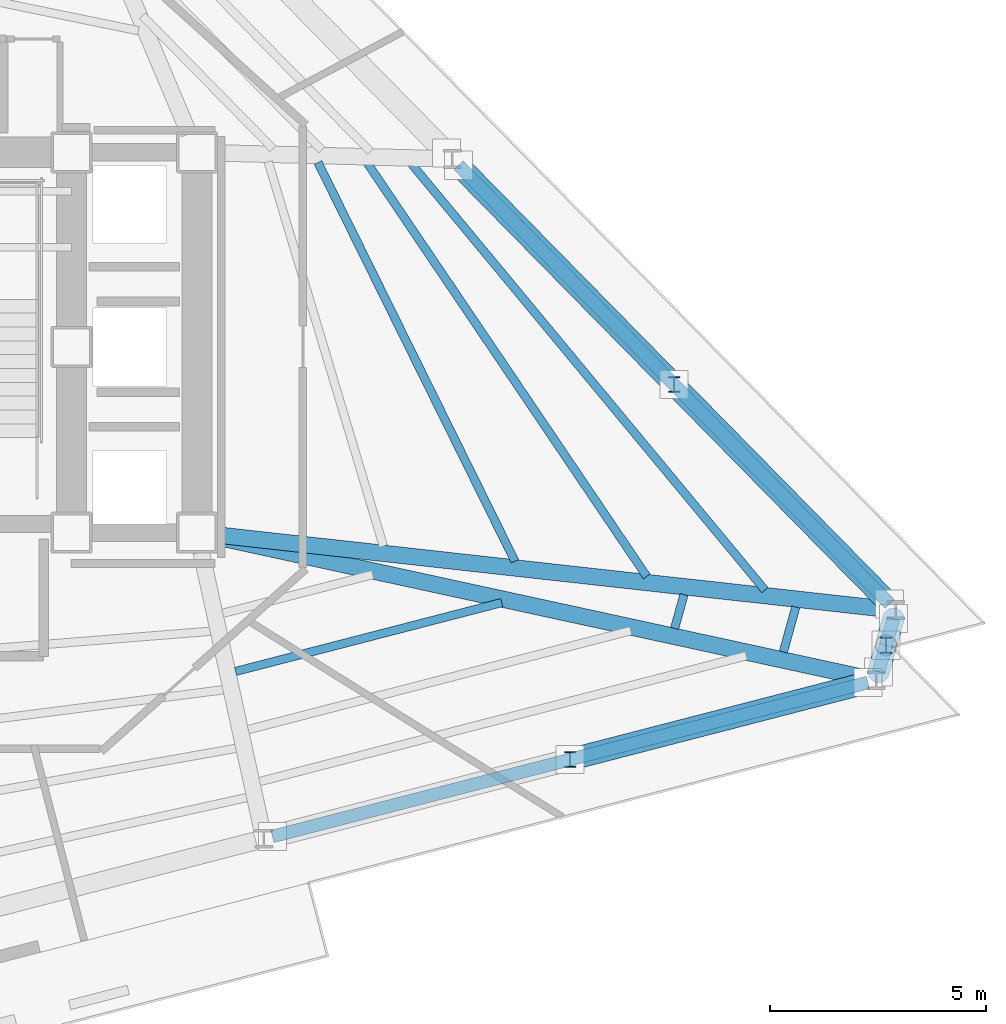
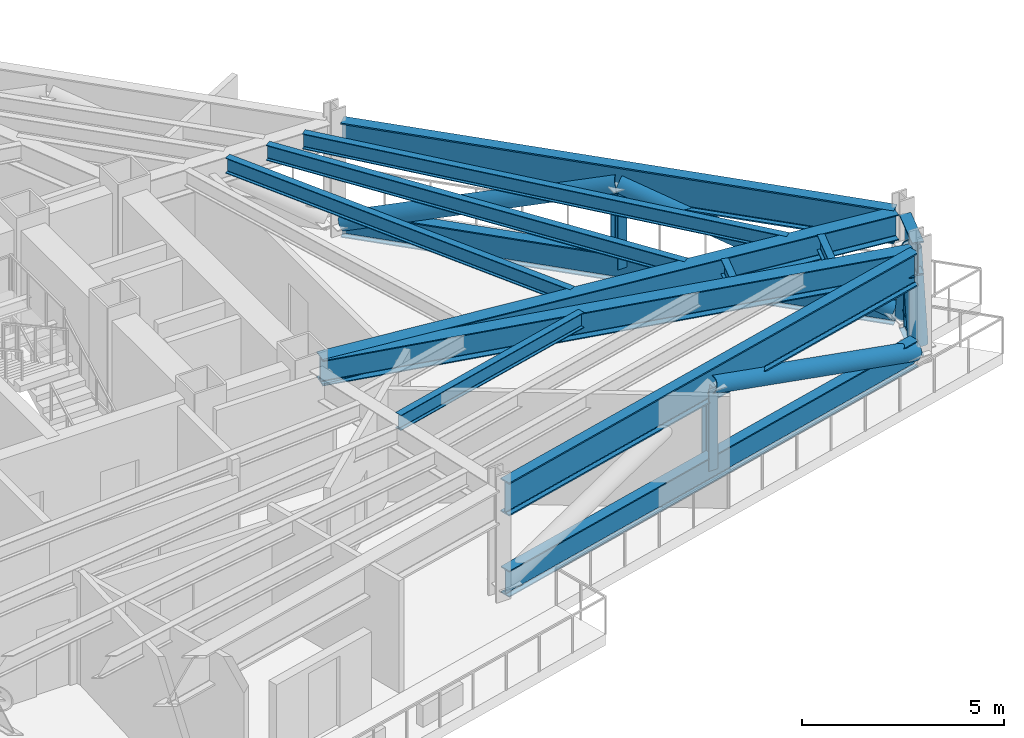
# One storey, part 4 of 11: 11 beams, 11 members.
"""IFC4 building model written with IfcOpenShell, lengths in metres."""

from ifc_helpers import new_model, si_unit, direction, frame, origin, origin_2d, place, context, subcontext, project, spatial, hollow_circle, i_section, extrude, material, material_profile, profile_set, type_object, element, save


model = new_model("IFC4")

# Units and contexts
model_context = context("Model", 3, precision=1e-05, world=origin(), true_north=direction((0.0, 1.0)))
body_context = subcontext(model_context, "Body", "Model", "MODEL_VIEW")
ifc_project = project(units=[si_unit("LENGTHUNIT", "METRE"), si_unit("AREAUNIT", "SQUARE_METRE"), si_unit("VOLUMEUNIT", "CUBIC_METRE"), si_unit("PLANEANGLEUNIT", "RADIAN"), si_unit("MASSUNIT", "GRAM", prefix="KILO")], contexts=[model_context])

# Site, building, storey
site_placement = place(None, origin())
site = spatial("IfcSite", under=ifc_project, at=site_placement, CompositionType="ELEMENT")
building_placement = place(site_placement, origin())
building = spatial("IfcBuilding", under=site, at=building_placement, Name="Rocaltana Carrier Exchange", CompositionType="ELEMENT")
storey_placement = place(building_placement, frame((0.0, 0.0, 100.800048828125)))
storey = spatial("IfcBuildingStorey", under=building, at=storey_placement, Name="L31", CompositionType="ELEMENT", Elevation=100.800048828125)

# Members
ifc_material_1 = material(Name="Steel S460", Category="steel")
ifc_material_profile_1 = material_profile(ifc_material_1, i_section(OverallWidth=0.300048828125, OverallDepth=0.800048828125, WebThickness=0.017578125, FlangeThickness=0.032958984375, FilletRadius=0.030029296875, at=origin_2d()), Name="HEB800")
ifc_profile_set_1 = profile_set([ifc_material_profile_1], Name="Steel S460")
member_type_1 = type_object("IfcMemberType", Name="Belt Truss Chord HEB800", PredefinedType="CHORD", material=ifc_profile_set_1)
member_1_placement = place(storey_placement, frame((24.97607421875, -5.947509765625, 0.349853515625), z_axis=(-0.700903085154, 0.713256521332, 0.0), x_axis=(-0.713256521332, -0.700903085154, 0.0)))
element("IfcMember", 1, at=member_1_placement, inside=storey, type_object=member_type_1, Name="L31 Belt Truss Bottom Chord 1", PredefinedType="CHORD", context=body_context, shape_type="SweptSolid", body=[
    extrude(i_section(OverallWidth=0.300048828125, OverallDepth=0.800048828125, WebThickness=0.017578125, FlangeThickness=0.032958984375, FilletRadius=0.030029296875, at=origin_2d()), origin(), (0.0, 0.0, 1.0), 14.229248046875),
])
member_2_placement = place(storey_placement, frame((10.69580078125, -11.328369140625, 0.349853515625), z_axis=(0.968150783852, 0.250367848828, 0.0), x_axis=(-0.250367848828, 0.968150783852, 0.0)))
element("IfcMember", 2, at=member_2_placement, inside=storey, type_object=member_type_1, Name="L31 Belt Truss Bottom Chord 11", PredefinedType="CHORD", context=body_context, shape_type="SweptSolid", body=[
    extrude(i_section(OverallWidth=0.300048828125, OverallDepth=0.800048828125, WebThickness=0.017578125, FlangeThickness=0.032958984375, FilletRadius=0.030029296875, at=origin_2d()), origin(), (0.0, 0.0, 1.0), 14.22900390625),
])
member_3_placement = place(storey_placement, frame((24.721435546875, -7.5205078125, 0.349853515625), z_axis=(0.267211316428, 0.963637957105, 0.0), x_axis=(-0.963637957105, 0.267211316428, 0.0)))
element("IfcMember", 3, at=member_3_placement, inside=storey, type_object=member_type_1, Name="L31 Belt Truss Bottom Chord 12", PredefinedType="CHORD", context=body_context, shape_type="SweptSolid", body=[
    extrude(i_section(OverallWidth=0.300048828125, OverallDepth=0.800048828125, WebThickness=0.017578125, FlangeThickness=0.032958984375, FilletRadius=0.030029296875, at=origin_2d()), origin(), (0.0, 0.0, 1.0), 1.281005859375),
])
ifc_material_2 = material(Name="Steel S460", Category="steel")
ifc_material_profile_2 = material_profile(ifc_material_2, hollow_circle(Radius=0.25390625, WallThickness=0.02001953125, at=origin_2d()), Name="CHS508X20")
ifc_profile_set_2 = profile_set([ifc_material_profile_2], Name="Steel S460")
member_type_2 = type_object("IfcMemberType", Name="Belt Truss Diagonal CHS508", PredefinedType="BRACE", material=ifc_profile_set_2)
for number, where, z_axis, x_axis, name in (
    (4, (24.97607421875, -5.947509765625, 0.349853515625), (-0.661597707881, 0.673291062718, 0.330102435301), (-0.71327352749, -0.700885778841, 0.0), "L31 Belt Truss Diagonal 1A"),
    (5, (19.989501953125, -0.872802734375, 2.837890625), (-0.661630349354, 0.673258925454, -0.330102559986), (-0.713239514746, -0.700920391061, 0.0), "L31 Belt Truss Diagonal 1B"),
    (6, (17.583740234375, -9.547119140625, 2.837890625), (0.913879243607, 0.236333001147, -0.330108225697), (-0.250367848828, 0.968150783852, 0.0), "L31 Belt Truss Diagonal 11B"),
):
    element("IfcMember", number, at=place(storey_placement, frame(where, z_axis=z_axis, x_axis=x_axis)), inside=storey, type_object=member_type_2, Name=name, PredefinedType="BRACE", context=body_context, shape_type="SweptSolid", body=[
        extrude(hollow_circle(Radius=0.25390625, WallThickness=0.02001953125, at=origin_2d()), origin(), (0.0, 0.0, 1.0), 7.537109375),
    ])
for number, where, z_axis, x_axis, name in (
    (7, (24.721435546875, -7.5205078125, 0.349853515625), (0.066614438909, 0.240230102087, 0.968427599039), (-0.963637957105, 0.267211316428, 0.0), "L31 Belt Truss Diagonal 12A"),
    (8, (24.892578125, -6.9033203125, 2.837890625), (0.066614438909, 0.240230102087, -0.968427599039), (-0.963637957105, 0.267211316428, 0.0), "L31 Belt Truss Diagonal 12B"),
):
    element("IfcMember", number, at=place(storey_placement, frame(where, z_axis=z_axis, x_axis=x_axis)), inside=storey, type_object=member_type_2, Name=name, PredefinedType="BRACE", context=body_context, shape_type="SweptSolid", body=[
        extrude(hollow_circle(Radius=0.25390625, WallThickness=0.02001953125, at=origin_2d()), origin(), (0.0, 0.0, 1.0), 2.569091796875),
    ])
ifc_material_3 = material(Name="Steel S460", Category="steel")
ifc_material_profile_3 = material_profile(ifc_material_3, i_section(OverallWidth=0.257080078125, OverallDepth=0.363037109375, WebThickness=0.012939453125, FlangeThickness=0.021728515625, FilletRadius=0.014892578125, at=origin_2d()), Name="W14X82")
ifc_profile_set_3 = profile_set([ifc_material_profile_3], Name="Steel S460")
member_type_3 = type_object("IfcMemberType", Name="Belt Truss Post W14X82", PredefinedType="POST", material=ifc_profile_set_3)
for number, where, z_axis, x_axis, name in (
    (9, (19.989501953125, -0.872802734375, 0.349853515625), (0.0, 0.0, 1.0), (1.0, 0.0, 0.0), "L31 Belt Truss Post 1"),
    (10, (17.583740234375, -9.547119140625, 0.349853515625), (0.0, 0.0, 1.0), (1.0, 0.0, 0.0), "L31 Belt Truss Post 11"),
    (11, (24.892578125, -6.9033203125, 0.349853515625), (0.0, 0.0, 1.0), (1.0, 0.0, 0.0), "L31 Belt Truss Post 12"),
):
    element("IfcMember", number, at=place(storey_placement, frame(where, z_axis=z_axis, x_axis=x_axis)), inside=storey, type_object=member_type_3, Name=name, PredefinedType="POST", context=body_context, shape_type="SweptSolid", body=[
        extrude(i_section(OverallWidth=0.257080078125, OverallDepth=0.363037109375, WebThickness=0.012939453125, FlangeThickness=0.021728515625, FilletRadius=0.014892578125, at=origin_2d()), origin(), (0.0, 0.0, 1.0), 2.488037109375),
    ])

# Beams
ifc_material_4 = material(Name="Steel S355", Category="steel")
ifc_material_profile_4 = material_profile(ifc_material_4, i_section(OverallWidth=0.193115234375, OverallDepth=0.466064453125, WebThickness=0.011474609375, FlangeThickness=0.01904296875, FilletRadius=0.013916015625, at=origin_2d()), Name="W18X65")
ifc_profile_set_4 = profile_set([ifc_material_profile_4], Name="Steel S355")
beam_type_1 = type_object("IfcBeamType", Name="Floor Joist W18X65", PredefinedType="JOIST", material=ifc_profile_set_4)
beam_1_placement = place(storey_placement, frame((16.305419921875, -4.958740234375, 3.18505859375), z_axis=(-0.442812351378, 0.896614310318, 0.0), x_axis=(-0.896614310318, -0.442812351378, 0.0)))
element("IfcBeam", 12, at=beam_1_placement, inside=storey, type_object=beam_type_1, Name="FJ-L31-01-2", PredefinedType="JOIST", context=body_context, shape_type="SweptSolid", body=[
    extrude(i_section(OverallWidth=0.193115234375, OverallDepth=0.466064453125, WebThickness=0.011474609375, FlangeThickness=0.01904296875, FilletRadius=0.013916015625, at=origin_2d()), origin(), (0.0, 0.0, 1.0), 10.285888671875),
])
beam_2_placement = place(storey_placement, frame((19.355712890625, -5.3115234375, 3.18505859375), z_axis=(-0.559968140726, 0.828514140719, 0.0), x_axis=(-0.828514140719, -0.559968140726, 0.0)))
element("IfcBeam", 13, at=beam_2_placement, inside=storey, type_object=beam_type_1, Name="FJ-L31-01-3", PredefinedType="JOIST", context=body_context, shape_type="SweptSolid", body=[
    extrude(i_section(OverallWidth=0.193115234375, OverallDepth=0.466064453125, WebThickness=0.011474609375, FlangeThickness=0.01904296875, FilletRadius=0.013916015625, at=origin_2d()), origin(), (0.0, 0.0, 1.0), 11.53662109375),
])
beam_3_placement = place(storey_placement, frame((22.089599609375, -5.626953125, 3.18505859375), z_axis=(-0.63831493133, 0.769775323352, 0.0), x_axis=(-0.769775323352, -0.63831493133, 0.0)))
element("IfcBeam", 14, at=beam_3_placement, inside=storey, type_object=beam_type_1, Name="FJ-L31-01-4", PredefinedType="JOIST", context=body_context, shape_type="SweptSolid", body=[
    extrude(i_section(OverallWidth=0.193115234375, OverallDepth=0.466064453125, WebThickness=0.011474609375, FlangeThickness=0.01904296875, FilletRadius=0.013916015625, at=origin_2d()), origin(), (0.0, 0.0, 1.0), 12.806884765625),
])
beam_4_placement = place(storey_placement, frame((9.841796875, -7.510009765625, 3.18505859375), z_axis=(0.968156212893, 0.250346854257, 0.0), x_axis=(-0.250346854257, 0.968156212893, 0.0)))
element("IfcBeam", 15, at=beam_4_placement, inside=storey, type_object=beam_type_1, Name="FJ-L31-11-2", PredefinedType="JOIST", context=body_context, shape_type="SweptSolid", body=[
    extrude(i_section(OverallWidth=0.193115234375, OverallDepth=0.466064453125, WebThickness=0.011474609375, FlangeThickness=0.01904296875, FilletRadius=0.013916015625, at=origin_2d()), origin(), (0.0, 0.0, 1.0), 6.3623046875),
])
beam_5_placement = place(storey_placement, frame((20.00146484375, -6.512939453125, 3.18505859375), z_axis=(0.267115740989, 0.963664454526, 0.0), x_axis=(-0.963664454526, 0.267115740989, 0.0)))
element("IfcBeam", 16, at=beam_5_placement, inside=storey, type_object=beam_type_1, Name="FJ-L31-12-3", PredefinedType="JOIST", context=body_context, shape_type="SweptSolid", body=[
    extrude(i_section(OverallWidth=0.193115234375, OverallDepth=0.466064453125, WebThickness=0.011474609375, FlangeThickness=0.01904296875, FilletRadius=0.013916015625, at=origin_2d()), origin(), (0.0, 0.0, 1.0), 0.810791015625),
])
beam_6_placement = place(storey_placement, frame((22.516357421875, -7.059326171875, 3.18505859375), z_axis=(0.267189146478, 0.963644104431, 0.0), x_axis=(-0.963644104431, 0.267189146478, 0.0)))
element("IfcBeam", 17, at=beam_6_placement, inside=storey, type_object=beam_type_1, Name="FJ-L31-12-4", PredefinedType="JOIST", context=body_context, shape_type="SweptSolid", body=[
    extrude(i_section(OverallWidth=0.193115234375, OverallDepth=0.466064453125, WebThickness=0.011474609375, FlangeThickness=0.01904296875, FilletRadius=0.013916015625, at=origin_2d()), origin(), (0.0, 0.0, 1.0), 1.080078125),
])
ifc_material_5 = material(Name="Steel S355", Category="steel")
ifc_material_profile_5 = material_profile(ifc_material_5, i_section(OverallWidth=0.381103515625, OverallDepth=0.77294921875, WebThickness=0.0166015625, FlangeThickness=0.027099609375, FilletRadius=0.01904296875, at=origin_2d()), Name="W30X173")
ifc_profile_set_5 = profile_set([ifc_material_profile_5], Name="Steel S355")
beam_type_2 = type_object("IfcBeamType", Name="Plant Floor Girder W30X173", PredefinedType="BEAM", material=ifc_profile_set_5)
beam_7_placement = place(storey_placement, frame((9.414306640625, -4.351318359375, 3.031494140625), z_axis=(0.993916704851, -0.110134389809, 0.0), x_axis=(0.110134389809, 0.993916704851, 0.0)))
element("IfcBeam", 18, at=beam_7_placement, inside=storey, type_object=beam_type_2, Name="RG-L31-01", PredefinedType="BEAM", context=body_context, shape_type="SweptSolid", body=[
    extrude(i_section(OverallWidth=0.381103515625, OverallDepth=0.77294921875, WebThickness=0.0166015625, FlangeThickness=0.027099609375, FilletRadius=0.01904296875, at=origin_2d()), origin(), (0.0, 0.0, 1.0), 15.6015625),
])
beam_8_placement = place(storey_placement, frame((9.406494140625, -4.399169921875, 3.031494140625), z_axis=(0.977197794576, -0.212331039362, 0.0), x_axis=(0.212331039362, 0.977197794576, 0.0)))
element("IfcBeam", 19, at=beam_8_placement, inside=storey, type_object=beam_type_2, Name="RG-L31-12", PredefinedType="BEAM", context=body_context, shape_type="SweptSolid", body=[
    extrude(i_section(OverallWidth=0.381103515625, OverallDepth=0.77294921875, WebThickness=0.0166015625, FlangeThickness=0.027099609375, FilletRadius=0.01904296875, at=origin_2d()), origin(), (0.0, 0.0, 1.0), 15.4189453125),
])
ifc_material_6 = material(Name="Steel S460", Category="steel")
ifc_material_profile_6 = material_profile(ifc_material_6, i_section(OverallWidth=0.302001953125, OverallDepth=1.008056640625, WebThickness=0.02099609375, FlangeThickness=0.0400390625, FilletRadius=0.030029296875, at=origin_2d()), Name="HEM1000")
ifc_profile_set_6 = profile_set([ifc_material_profile_6], Name="Steel S460")
beam_type_3 = type_object("IfcBeamType", Name="Transfer Ring Girder HEM1000", PredefinedType="USERDEFINED", material=ifc_profile_set_6)
beam_9_placement = place(storey_placement, frame((24.97900390625, -5.9501953125, 2.9140625), z_axis=(-0.700906560302, 0.713253106356, 0.0), x_axis=(-0.713253106356, -0.700906560302, 0.0)))
element("IfcBeam", 20, at=beam_9_placement, inside=storey, type_object=beam_type_3, Name="SP-L31-01", ObjectType="TRANSFER GIRDER", PredefinedType="USERDEFINED", context=body_context, shape_type="SweptSolid", body=[
    extrude(i_section(OverallWidth=0.302001953125, OverallDepth=1.008056640625, WebThickness=0.02099609375, FlangeThickness=0.0400390625, FilletRadius=0.030029296875, at=origin_2d()), origin(), (0.0, 0.0, 1.0), 14.2373046875),
])
beam_10_placement = place(storey_placement, frame((10.69189453125, -11.329345703125, 2.9140625), z_axis=(0.968151928299, 0.250363423309, 0.0), x_axis=(-0.250363423309, 0.968151928299, 0.0)))
element("IfcBeam", 21, at=beam_10_placement, inside=storey, type_object=beam_type_3, Name="SP-L31-11", ObjectType="TRANSFER GIRDER", PredefinedType="USERDEFINED", context=body_context, shape_type="SweptSolid", body=[
    extrude(i_section(OverallWidth=0.302001953125, OverallDepth=1.008056640625, WebThickness=0.02099609375, FlangeThickness=0.0400390625, FilletRadius=0.030029296875, at=origin_2d()), origin(), (0.0, 0.0, 1.0), 14.237060546875),
])
beam_11_placement = place(storey_placement, frame((24.72021484375, -7.5244140625, 2.9140625), z_axis=(0.267233578385, 0.963631783714, 0.0), x_axis=(-0.963631783714, 0.267233578385, 0.0)))
element("IfcBeam", 22, at=beam_11_placement, inside=storey, type_object=beam_type_3, Name="SP-L31-12", ObjectType="TRANSFER GIRDER", PredefinedType="USERDEFINED", context=body_context, shape_type="SweptSolid", body=[
    extrude(i_section(OverallWidth=0.302001953125, OverallDepth=1.008056640625, WebThickness=0.02099609375, FlangeThickness=0.0400390625, FilletRadius=0.030029296875, at=origin_2d()), origin(), (0.0, 0.0, 1.0), 1.2890625),
])

save(model, "model.ifc")
